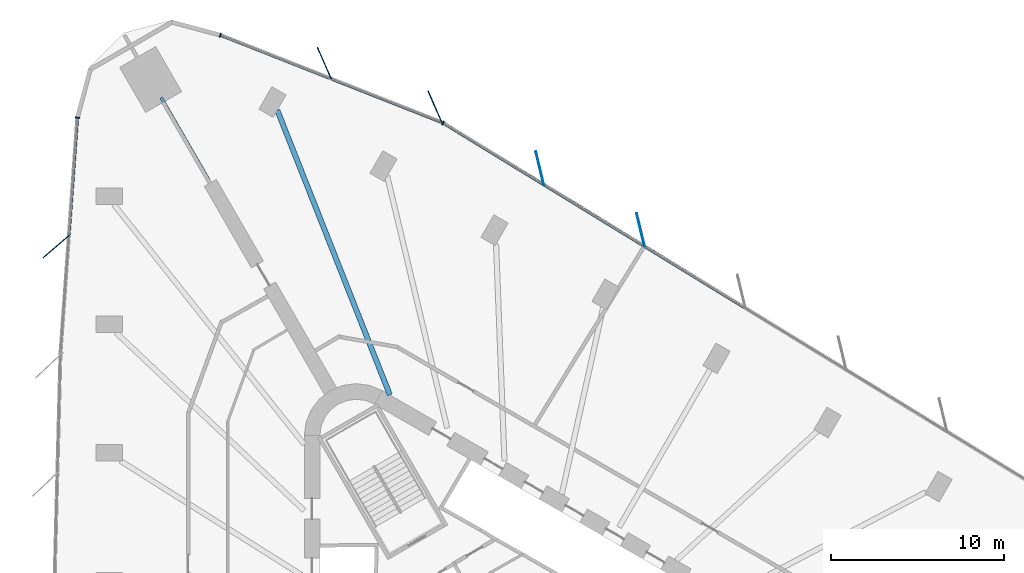
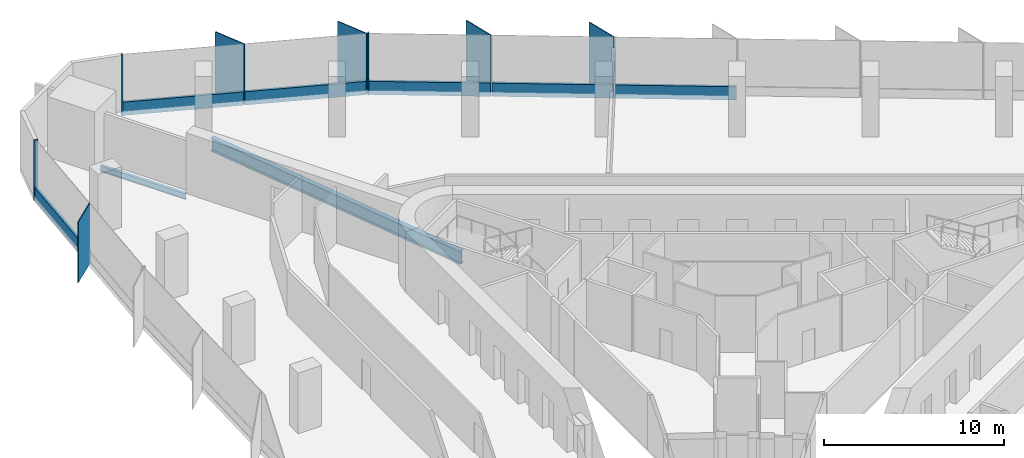
# One storey, part 6 of 13: 14 members, 2 beams, 3 elements without a shape of their own.
"""IFC4 building model written with IfcOpenShell, lengths in metres."""

import ifcopenshell
import ifcopenshell.guid

model = None  # the IFC model being written
_history = None  # IfcOwnerHistory: only IFC2X3 demands one
_inside = {}  # id of a spatial element -> (the spatial element, [elements in it])
_under = {}  # id of a project, library or spatial element -> (it, [spatial elements below it])
_declared = {}  # id of a project -> (the project, [libraries it declares])
_typed = {}  # id of a type object -> (the type object, [elements of that type])
_made_of = {}  # id of a material, layer set ... -> (it, [elements and type objects made of it])


def new_model(schema):
    """Start an empty IFC model of exactly this schema.

    Asked for "IFC4X3", IfcOpenShell would pick the latest addendum, in which some entities
    have other attributes; the version numbers below select the first issue.
    IFC2X3 requires an IfcOwnerHistory on every rooted entity: one is made here for all.
    """
    global model, _history
    if schema == "IFC4X3":
        model = ifcopenshell.file(schema_version=(4, 3, 0, 0))
    else:
        model = ifcopenshell.file(schema=schema)
    _inside.clear()
    _under.clear()
    _declared.clear()
    _typed.clear()
    _made_of.clear()
    _history = None
    if model.schema == "IFC2X3":
        org = make("IfcOrganization", Name="unknown")
        user = make(
            "IfcPersonAndOrganization",
            ThePerson=make("IfcPerson", FamilyName="unknown"),
            TheOrganization=org,
        )
        app = make(
            "IfcApplication",
            ApplicationDeveloper=org,
            Version="unknown",
            ApplicationFullName="unknown",
            ApplicationIdentifier="unknown",
        )
        _history = make(
            "IfcOwnerHistory",
            OwningUser=user,
            OwningApplication=app,
            ChangeAction="ADDED",
            CreationDate=0,
        )
    return model


def make(cls, **values):
    """One entity of the class cls with the attributes given. An attribute that is None is left unset."""
    return model.create_entity(
        cls, **{name: value for name, value in values.items() if value is not None}
    )


def rooted(cls, **values):
    """An entity with a GlobalId (a new one), such as an element, a storey or a relation."""
    return make(cls, GlobalId=ifcopenshell.guid.new(), OwnerHistory=_history, **values)


def si_unit(unit_type, name, prefix=None):
    """IfcSIUnit, for example si_unit("LENGTHUNIT", "METRE", prefix="MILLI")."""
    return make("IfcSIUnit", UnitType=unit_type, Prefix=prefix, Name=name)


def assignment(units):
    """IfcUnitAssignment: the units of a project."""
    return None if units is None else make("IfcUnitAssignment", Units=units)


def point(xyz):
    """IfcCartesianPoint."""
    return None if xyz is None else make("IfcCartesianPoint", Coordinates=xyz)


def direction(xyz):
    """IfcDirection."""
    return None if xyz is None else make("IfcDirection", DirectionRatios=xyz)


def frame(location, z_axis=None, x_axis=None):
    """IfcAxis2Placement3D, a coordinate frame: its origin and axes. An axis left out is left unset."""
    return make(
        "IfcAxis2Placement3D",
        Location=point(location),
        Axis=direction(z_axis),
        RefDirection=direction(x_axis),
    )


def frame_2d(location, x_axis=None):
    """IfcAxis2Placement2D, a coordinate frame in the plane: its origin and x axis."""
    return make(
        "IfcAxis2Placement2D", Location=point(location), RefDirection=direction(x_axis)
    )


def origin():
    """The frame at (0, 0, 0) with its axes left unset."""
    return frame((0.0, 0.0, 0.0))


def origin_2d():
    """The frame at (0, 0) in the plane with its x axis left unset."""
    return frame_2d((0.0, 0.0))


def place(relative_to, where):
    """IfcLocalPlacement: puts the frame where relative to a parent placement (None: the world)."""
    return make(
        "IfcLocalPlacement", PlacementRelTo=relative_to, RelativePlacement=where
    )


def context(
    kind, dimensions, precision=None, world=None, true_north=None, identifier=None
):
    """IfcGeometricRepresentationContext, for example the 3D "Model" context."""
    return make(
        "IfcGeometricRepresentationContext",
        ContextIdentifier=identifier,
        ContextType=kind,
        CoordinateSpaceDimension=dimensions,
        Precision=precision,
        WorldCoordinateSystem=world,
        TrueNorth=true_north,
    )


def subcontext(parent, identifier, kind, view, scale=None):
    """IfcGeometricRepresentationSubContext, for example "Body" below "Model"."""
    return make(
        "IfcGeometricRepresentationSubContext",
        ContextIdentifier=identifier,
        ContextType=kind,
        ParentContext=parent,
        TargetScale=scale,
        TargetView=view,
    )


def project(units=None, contexts=None):
    """IfcProject with its units and contexts."""
    return rooted(
        "IfcProject",
        Name="project",
        RepresentationContexts=contexts,
        UnitsInContext=assignment(units),
    )


def spatial(cls, under=None, at=None, **own):
    """A site, building, storey or space (cls), placed at a placement, below another one or the project."""
    s = rooted(cls, ObjectPlacement=at, **own)
    if under is not None:
        _under.setdefault(under.id(), (under, []))[1].append(s)
    return s


def profile(cls, at=None, kind="AREA", **sizes):
    """A parametric profile (cls). Its sizes go by their IFC names, for example OverallWidth=200.0."""
    return make(cls, ProfileType=kind, Position=at, **sizes)


def rectangle(**sizes):
    """IfcRectangleProfileDef."""
    return profile("IfcRectangleProfileDef", **sizes)


def i_section(**sizes):
    """IfcIShapeProfileDef."""
    return profile("IfcIShapeProfileDef", **sizes)


def extrude(swept, where, along, depth):
    """IfcExtrudedAreaSolid: the profile swept, set in the frame where, extruded along a direction by depth."""
    return make(
        "IfcExtrudedAreaSolid",
        SweptArea=swept,
        Position=where,
        ExtrudedDirection=direction(along),
        Depth=depth,
    )


def shape(context_of_items, identifier, shape_type, items):
    """IfcShapeRepresentation: the items that make up one representation, for example the "Body"."""
    return make(
        "IfcShapeRepresentation",
        ContextOfItems=context_of_items,
        RepresentationIdentifier=identifier,
        RepresentationType=shape_type,
        Items=items,
    )


def material(Name=None, Category=None):
    """IfcMaterial."""
    return make("IfcMaterial", Name=Name, Category=Category)


def material_profile(
    of_material, cross_section, Name=None, Category=None, Priority=None
):
    """IfcMaterialProfile: a cross section and its material."""
    return make(
        "IfcMaterialProfile",
        Name=Name,
        Material=of_material,
        Profile=cross_section,
        Priority=Priority,
        Category=Category,
    )


def profile_set(profiles, Name=None, composite=None):
    """IfcMaterialProfileSet."""
    return make(
        "IfcMaterialProfileSet",
        Name=Name,
        MaterialProfiles=profiles,
        CompositeProfile=composite,
    )


def made_of(thing, what):
    """Note that an element or type object is made of a material, layer set ...; save() writes the relation."""
    if what is not None:
        _made_of.setdefault(what.id(), (what, []))[1].append(thing)
    return thing


def type_object(cls, material=None, **own):
    """A type object (cls), such as IfcWallType, which elements share."""
    return made_of(rooted(cls, **own), material)


def element(
    cls,
    number,
    at=None,
    inside=None,
    cuts=None,
    type_object=None,
    material=None,
    context=None,
    identifier="Body",
    shape_type=None,
    held_by="IfcProductDefinitionShape",
    body=None,
    shapes=None,
    **own,
):
    """One element of the class cls, such as IfcWall. Its Tag is "e" and its number.

    at: its placement. inside: the storey or other place that contains it. cuts: it is an
    opening in that element (IfcRelVoidsElement). A single representation is given by context,
    identifier, shape_type and body (its items); several are given by shapes. held_by: the class
    of the entity that holds the representations. save() writes the other relations.
    """
    e = rooted(cls, Tag="e%d" % number, ObjectPlacement=at, **own)
    if body is not None:
        shapes = [shape(context, identifier, shape_type, body)]
    if shapes is not None:
        e.Representation = make(held_by, Representations=shapes)
    if inside is not None:
        _inside.setdefault(inside.id(), (inside, []))[1].append(e)
    if cuts is not None:
        rooted(
            "IfcRelVoidsElement", RelatingBuildingElement=cuts, RelatedOpeningElement=e
        )
    if type_object is not None:
        _typed.setdefault(type_object.id(), (type_object, []))[1].append(e)
    return made_of(e, material)


def aggregate(whole, parts):
    """IfcRelAggregates: a whole, such as a stair, and the parts it consists of."""
    return rooted("IfcRelAggregates", RelatingObject=whole, RelatedObjects=parts)


def save(model, path):
    """Write the relations noted so far, then the file.

    IfcRelAggregates (storeys below a building ...), IfcRelContainedInSpatialStructure (elements
    in a storey), IfcRelDefinesByType, IfcRelAssociatesMaterial and IfcRelDeclares: one each for
    every whole, place, type object, material and project.
    """
    for whole, parts in _under.values():
        aggregate(whole, parts)
    for where, things in _inside.values():
        rooted(
            "IfcRelContainedInSpatialStructure",
            RelatedElements=things,
            RelatingStructure=where,
        )
    for kind, things in _typed.values():
        rooted("IfcRelDefinesByType", RelatedObjects=things, RelatingType=kind)
    for what, things in _made_of.values():
        rooted("IfcRelAssociatesMaterial", RelatedObjects=things, RelatingMaterial=what)
    for by, libraries in _declared.values():
        rooted("IfcRelDeclares", RelatingContext=by, RelatedDefinitions=libraries)
    model.write(path)


model = new_model("IFC4")

# Units and contexts
model_context = context("Model", 3, precision=1e-05, world=origin(), true_north=direction((0.0, 1.0)))
body_context = subcontext(model_context, "Body", "Model", "MODEL_VIEW")
ifc_project = project(units=[si_unit("LENGTHUNIT", "METRE"), si_unit("AREAUNIT", "SQUARE_METRE"), si_unit("VOLUMEUNIT", "CUBIC_METRE"), si_unit("PLANEANGLEUNIT", "RADIAN"), si_unit("MASSUNIT", "GRAM", prefix="KILO")], contexts=[model_context])

# Site, building, storey
site_placement = place(None, origin())
site = spatial("IfcSite", under=ifc_project, at=site_placement, CompositionType="ELEMENT")
building_placement = place(site_placement, origin())
building = spatial("IfcBuilding", under=site, at=building_placement, Name="Tanit Gate Tower", CompositionType="ELEMENT")
storey_placement = place(building_placement, frame((0.0, 0.0, 57.800048828125)))
storey = spatial("IfcBuildingStorey", under=building, at=storey_placement, Name="L10", CompositionType="ELEMENT", Elevation=57.800048828125)

# Curtain wall, members
ifc_material_1 = material(Name="Aluminium bronze anodised and glass", Category="aluminium")
curtain_wall_type = type_object("IfcCurtainWallType", Name="Curtain wall typical low", PredefinedType="NOTDEFINED", material=ifc_material_1)
curtain_wall_1_placement = place(storey_placement, origin())
curtain_wall_1 = element("IfcCurtainWall", 1, at=curtain_wall_1_placement, inside=storey, type_object=curtain_wall_type, Name="Curtain wall L10 NE2", PredefinedType="NOTDEFINED")
ifc_material_2 = material(Name="Aluminium bronze anodised", Category="aluminium")
ifc_material_profile_1 = material_profile(ifc_material_2, rectangle(XDim=2.0, YDim=0.055908203125, at=origin_2d()), Name="56x2000 bronze fin mullion")
ifc_profile_set_1 = profile_set([ifc_material_profile_1], Name="Aluminium bronze anodised")
member_type_1 = type_object("IfcMemberType", Name="FIN MULLION 56x2000 bronze", PredefinedType="MULLION", material=ifc_profile_set_1)
member_1_placement = place(storey_placement, frame((7.30029296875, 27.619873046875, -0.300048828125), z_axis=(0.0, 0.0, 1.0), x_axis=(0.233691416098, -0.972310815553, 0.0)))
member_1 = element("IfcMember", 2, at=member_1_placement, type_object=member_type_1, Name="Fin mullion L10 NE2.5", PredefinedType="MULLION", context=body_context, shape_type="SweptSolid", body=[
    extrude(rectangle(XDim=2.0, YDim=0.055908203125, at=origin_2d()), origin(), (0.0, 0.0, 1.0), 4.10009765625),
])
member_2_placement = place(storey_placement, frame((1.486572265625, 31.1806640625, -0.300048828125), z_axis=(0.0, 0.0, 1.0), x_axis=(0.233691416098, -0.972310815553, 0.0)))
member_2 = element("IfcMember", 3, at=member_2_placement, type_object=member_type_1, Name="Fin mullion L10 NE2.6", PredefinedType="MULLION", context=body_context, shape_type="SweptSolid", body=[
    extrude(rectangle(XDim=2.0, YDim=0.055908203125, at=origin_2d()), origin(), (0.0, 0.0, 1.0), 4.10009765625),
])

curtain_wall_2_placement = place(storey_placement, origin())
curtain_wall_2 = element("IfcCurtainWall", 4, at=curtain_wall_2_placement, inside=storey, type_object=curtain_wall_type, Name="Curtain wall L10 NE3", PredefinedType="NOTDEFINED")
member_3_placement = place(storey_placement, frame((-4.56005859375, 34.722900390625, -0.300048828125), z_axis=(0.0, 0.0, 1.0), x_axis=(0.39870312374, -0.917080050552, 0.0)))
member_3 = element("IfcMember", 5, at=member_3_placement, type_object=member_type_1, Name="Fin mullion L10 NE3.1", PredefinedType="MULLION", context=body_context, shape_type="SweptSolid", body=[
    extrude(rectangle(XDim=2.0, YDim=0.055908203125, at=origin_2d()), origin(), (0.0, 0.0, 1.0), 4.10009765625),
])
member_4_placement = place(storey_placement, frame((-10.940673828125, 37.236572265625, -0.300048828125), z_axis=(0.0, 0.0, 1.0), x_axis=(0.39870312374, -0.917080050552, 0.0)))
member_4 = element("IfcMember", 6, at=member_4_placement, type_object=member_type_1, Name="Fin mullion L10 NE3.2", PredefinedType="MULLION", context=body_context, shape_type="SweptSolid", body=[
    extrude(rectangle(XDim=2.0, YDim=0.055908203125, at=origin_2d()), origin(), (0.0, 0.0, 1.0), 4.10009765625),
])

# Curtain wall, member
curtain_wall_3_placement = place(storey_placement, origin())
curtain_wall_3 = element("IfcCurtainWall", 7, at=curtain_wall_3_placement, inside=storey, type_object=curtain_wall_type, Name="Curtain wall L10 W1", PredefinedType="NOTDEFINED")
member_5_placement = place(storey_placement, frame((-26.403076171875, 26.670654296875, -0.300048828125), z_axis=(0.0, 0.0, 1.0), x_axis=(0.755801874153, 0.65480037189, 0.0)))
member_5 = element("IfcMember", 8, at=member_5_placement, type_object=member_type_1, Name="Fin mullion L10 W1.2", PredefinedType="MULLION", context=body_context, shape_type="SweptSolid", body=[
    extrude(rectangle(XDim=2.0, YDim=0.055908203125, at=origin_2d()), origin(), (0.0, 0.0, 1.0), 4.10009765625),
])

# Member
ifc_material_3 = material(Name="Aluminium bronze anodised", Category="aluminium")
ifc_material_profile_2 = material_profile(ifc_material_3, rectangle(XDim=0.239990234375, YDim=0.080078125, at=origin_2d()), Name="80x240 bronze mullion")
ifc_profile_set_2 = profile_set([ifc_material_profile_2], Name="Aluminium bronze anodised")
member_type_2 = type_object("IfcMemberType", Name="Mullion 80x240 typical low", PredefinedType="MULLION", material=ifc_profile_set_2)
member_6_placement = place(storey_placement, frame((-4.09912109375, 33.791015625, -0.300048828125), z_axis=(0.0, 0.0, 1.0), x_axis=(-0.522282786071, -0.852772356127, 0.0)))
member_6 = element("IfcMember", 9, at=member_6_placement, type_object=member_type_2, Name="Mullion L10 NE2.7", PredefinedType="MULLION", context=body_context, shape_type="SweptSolid", body=[
    extrude(rectangle(XDim=0.239990234375, YDim=0.080078125, at=origin_2d()), origin(), (0.0, 0.0, 1.0), 4.10009765625),
])

member_7_placement = place(storey_placement, frame((-16.931884765625, 38.854248046875, -0.300048828125), z_axis=(0.0, 0.0, 1.0), x_axis=(-0.366547840159, -0.930399205113, 0.0)))
member_7 = element("IfcMember", 10, at=member_7_placement, type_object=member_type_2, Name="Mullion L10 NE3.3", PredefinedType="MULLION", context=body_context, shape_type="SweptSolid", body=[
    extrude(rectangle(XDim=0.239990234375, YDim=0.080078125, at=origin_2d()), origin(), (0.0, 0.0, 1.0), 4.10009765625),
])

member_8_placement = place(storey_placement, frame((-25.178466796875, 34.094482421875, -0.300048828125), z_axis=(0.0, 0.0, 1.0), x_axis=(0.997446413734, -0.07141884716, 0.0)))
member_8 = element("IfcMember", 11, at=member_8_placement, type_object=member_type_2, Name="Mullion L10 W1.1", PredefinedType="MULLION", context=body_context, shape_type="SweptSolid", body=[
    extrude(rectangle(XDim=0.239990234375, YDim=0.080078125, at=origin_2d()), origin(), (0.0, 0.0, 1.0), 4.10009765625),
])

# Beams
ifc_material_4 = material(Name="Steel S355", Category="steel")
ifc_material_profile_3 = material_profile(ifc_material_4, i_section(OverallWidth=0.300048828125, OverallDepth=0.889892578125, WebThickness=0.01611328125, FlangeThickness=0.030029296875, FilletRadius=0.030029296875, at=origin_2d()), Name="HEA 900")
ifc_profile_set_3 = profile_set([ifc_material_profile_3], Name="Steel S355")
beam_type_1 = type_object("IfcBeamType", Name="RADIAL GIRDER HEA 900 S355", PredefinedType="BEAM", material=ifc_profile_set_3)
beam_1_placement = place(storey_placement, frame((-13.655029296875, 34.5302734375, -0.7451171875), z_axis=(0.36773841244, -0.929929276889, 0.0), x_axis=(0.929929276889, 0.36773841244, 0.0)))
element("IfcBeam", 12, at=beam_1_placement, inside=storey, type_object=beam_type_1, Name="RADIAL GIRDER", PredefinedType="BEAM", context=body_context, shape_type="SweptSolid", body=[
    extrude(i_section(OverallWidth=0.300048828125, OverallDepth=0.889892578125, WebThickness=0.01611328125, FlangeThickness=0.030029296875, FilletRadius=0.030029296875, at=origin_2d()), origin(), (0.0, 0.0, 1.0), 17.658935546875),
])
ifc_material_5 = material(Name="Steel S355", Category="steel")
ifc_material_profile_4 = material_profile(ifc_material_5, i_section(OverallWidth=0.179931640625, OverallDepth=0.39990234375, WebThickness=0.008544921875, FlangeThickness=0.013427734375, FilletRadius=0.02099609375, at=origin_2d()), Name="IPE 400")
ifc_profile_set_4 = profile_set([ifc_material_profile_4], Name="Steel S355")
beam_type_2 = type_object("IfcBeamType", Name="RADIAL GIRDER IPE 400 S355", PredefinedType="BEAM", material=ifc_profile_set_4)
beam_2_placement = place(storey_placement, frame((-20.355712890625, 35.257080078125, -0.5), z_axis=(0.500017734461, -0.866015164547, 0.0), x_axis=(0.866015164547, 0.500017734461, 0.0)))
element("IfcBeam", 13, at=beam_2_placement, inside=storey, type_object=beam_type_2, Name="RADIAL GIRDER", PredefinedType="BEAM", context=body_context, shape_type="SweptSolid", body=[
    extrude(i_section(OverallWidth=0.179931640625, OverallDepth=0.39990234375, WebThickness=0.008544921875, FlangeThickness=0.013427734375, FilletRadius=0.02099609375, at=origin_2d()), origin(), (0.0, 0.0, 1.0), 5.463134765625),
])

# Member
ifc_material_6 = material(Name="Aluminium bronze anodised", Category="aluminium")
ifc_material_profile_5 = material_profile(ifc_material_6, rectangle(XDim=0.159912109375, YDim=0.89990234375, at=origin_2d()), Name="160x900 bronze transom")
ifc_profile_set_5 = profile_set([ifc_material_profile_5], Name="Aluminium bronze anodised")
member_type_3 = type_object("IfcMemberType", Name="Transom 160x900 typical low", PredefinedType="USERDEFINED", material=ifc_profile_set_5)
member_9_placement = place(storey_placement, frame((13.30859375, 23.129638671875, 0.14990234375), z_axis=(-0.852763694856, 0.522296927749, 0.0), x_axis=(-0.522296927749, -0.852763694856, 0.0)))
member_9 = element("IfcMember", 14, at=member_9_placement, type_object=member_type_3, Name="Transom L10 NE2.4", ObjectType="TRANSOM", PredefinedType="USERDEFINED", context=body_context, shape_type="SweptSolid", body=[
    extrude(rectangle(XDim=0.159912109375, YDim=0.89990234375, at=origin_2d()), origin(), (0.0, 0.0, 1.0), 6.737548828125),
])

member_10_placement = place(storey_placement, frame((7.49462890625, 26.6904296875, 0.14990234375), z_axis=(-0.852763694856, 0.522296927749, 0.0), x_axis=(-0.522296927749, -0.852763694856, 0.0)))
member_10 = element("IfcMember", 15, at=member_10_placement, type_object=member_type_3, Name="Transom L10 NE2.5", ObjectType="TRANSOM", PredefinedType="USERDEFINED", context=body_context, shape_type="SweptSolid", body=[
    extrude(rectangle(XDim=0.159912109375, YDim=0.89990234375, at=origin_2d()), origin(), (0.0, 0.0, 1.0), 6.737548828125),
])

member_11_placement = place(storey_placement, frame((1.6806640625, 30.251220703125, 0.14990234375), z_axis=(-0.852779833847, 0.52227057641, 0.0), x_axis=(-0.52227057641, -0.852779833847, 0.0)))
member_11 = element("IfcMember", 16, at=member_11_placement, type_object=member_type_3, Name="Transom L10 NE2.6", ObjectType="TRANSOM", PredefinedType="USERDEFINED", context=body_context, shape_type="SweptSolid", body=[
    extrude(rectangle(XDim=0.159912109375, YDim=0.89990234375, at=origin_2d()), origin(), (0.0, 0.0, 1.0), 6.737548828125),
])

aggregate(curtain_wall_1, [member_1, member_2, member_6, member_9, member_10, member_11])

member_12_placement = place(storey_placement, frame((-4.20751953125, 33.84130859375, 0.14990234375), z_axis=(-0.930406531729, 0.366529242649, 0.0), x_axis=(-0.366529242649, -0.930406531729, 0.0)))
member_12 = element("IfcMember", 17, at=member_12_placement, type_object=member_type_3, Name="Transom L10 NE3.1", ObjectType="TRANSOM", PredefinedType="USERDEFINED", context=body_context, shape_type="SweptSolid", body=[
    extrude(rectangle(XDim=0.159912109375, YDim=0.89990234375, at=origin_2d()), origin(), (0.0, 0.0, 1.0), 6.778076171875),
])

member_13_placement = place(storey_placement, frame((-10.58837890625, 36.35498046875, 0.14990234375), z_axis=(-0.930401692561, 0.366541526268, 0.0), x_axis=(-0.366541526268, -0.930401692561, 0.0)))
member_13 = element("IfcMember", 18, at=member_13_placement, type_object=member_type_3, Name="Transom L10 NE3.2", ObjectType="TRANSOM", PredefinedType="USERDEFINED", context=body_context, shape_type="SweptSolid", body=[
    extrude(rectangle(XDim=0.159912109375, YDim=0.89990234375, at=origin_2d()), origin(), (0.0, 0.0, 1.0), 6.77783203125),
])

aggregate(curtain_wall_2, [member_3, member_4, member_7, member_12, member_13])

member_14_placement = place(storey_placement, frame((-25.181396484375, 34.0546875, 0.14990234375), z_axis=(-0.071412256994, -0.997446885579, 0.0), x_axis=(0.997446885579, -0.071412256994, 0.0)))
member_14 = element("IfcMember", 19, at=member_14_placement, type_object=member_type_3, Name="Transom L10 W1.1", ObjectType="TRANSOM", PredefinedType="USERDEFINED", context=body_context, shape_type="SweptSolid", body=[
    extrude(rectangle(XDim=0.159912109375, YDim=0.89990234375, at=origin_2d()), origin(), (0.0, 0.0, 1.0), 6.72119140625),
])

aggregate(curtain_wall_3, [member_8, member_5, member_14])

save(model, "model.ifc")
